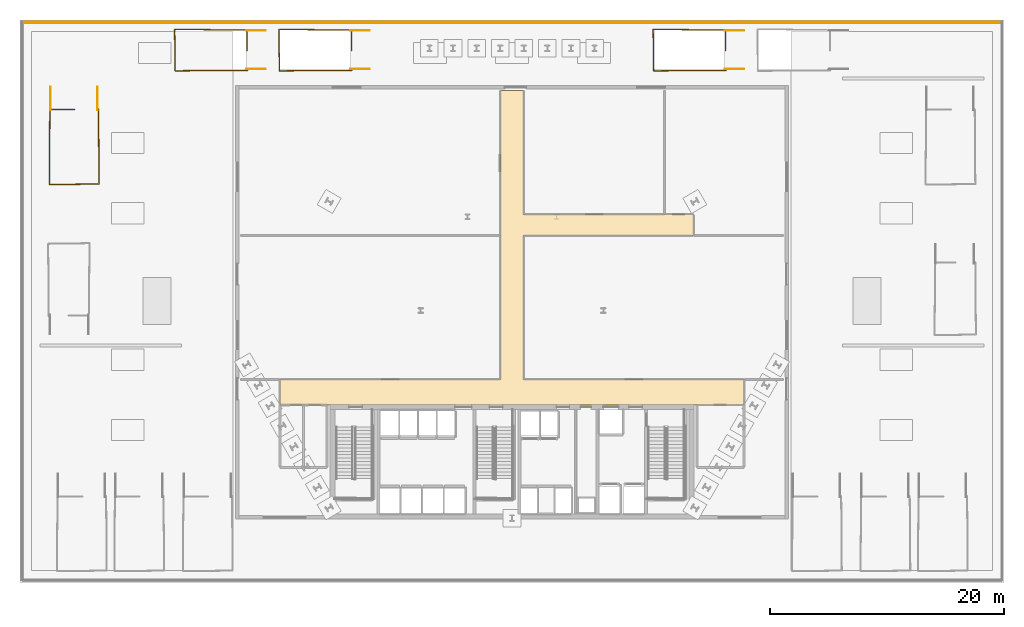
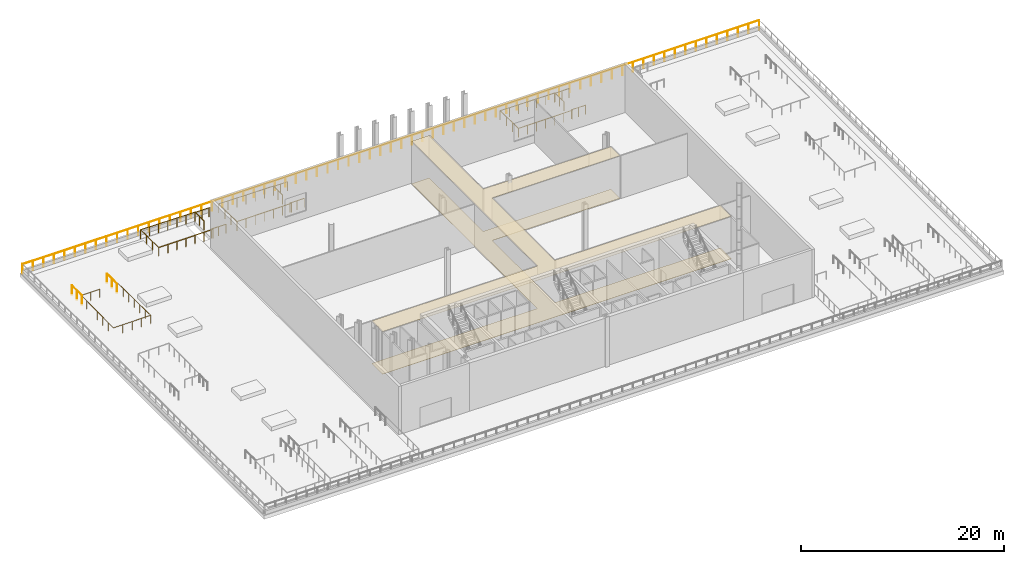
# One storey, part 11 of 13: 13 railings, 2 coverings.
"""IFC4 building model written with IfcOpenShell, lengths in metres."""

from ifc_helpers import new_model, si_unit, direction, frame, origin, origin_2d, place, context, subcontext, project, spatial, polyline, circle, outline, extrude, material, layer, layer_set, type_object, element, save


model = new_model("IFC4")

# Units and contexts
model_context = context("Model", 3, precision=1e-05, world=origin(), true_north=direction((0.0, 1.0)))
body_context = subcontext(model_context, "Body", "Model", "MODEL_VIEW")
ifc_project = project(units=[si_unit("LENGTHUNIT", "METRE"), si_unit("AREAUNIT", "SQUARE_METRE"), si_unit("VOLUMEUNIT", "CUBIC_METRE"), si_unit("PLANEANGLEUNIT", "RADIAN"), si_unit("MASSUNIT", "GRAM", prefix="KILO")], contexts=[model_context])

# Site, building, storey
site_placement = place(None, origin())
site = spatial("IfcSite", under=ifc_project, at=site_placement, CompositionType="ELEMENT")
building_placement = place(site_placement, origin())
building = spatial("IfcBuilding", under=site, at=building_placement, Name="Ndaravel Arena Tower", CompositionType="ELEMENT")
storey_placement = place(building_placement, frame((0.0, 0.0, 30.0)))
storey = spatial("IfcBuildingStorey", under=building, at=storey_placement, Name="L05", CompositionType="ELEMENT", Elevation=30.0)

# Coverings
ifc_material_1 = material(Name="Acoustic Ceiling Tile", Category="finish")
ifc_layer_1 = layer(ifc_material_1, 0.02490234375)
ifc_layer_set_1 = layer_set([ifc_layer_1], Name="Acoustic Ceiling Tile")
covering_type_1 = type_object("IfcCoveringType", Name="COV-CEIL-AC600", PredefinedType="CEILING", material=ifc_layer_set_1)
covering_1_placement = place(storey_placement, frame((0.0, 0.0, 5.102783203125)))
element("IfcCovering", 1, at=covering_1_placement, inside=storey, type_object=covering_type_1, Name="L05 Corridor Acoustic Ceiling", PredefinedType="CEILING", context=body_context, shape_type="SweptSolid", body=[
    extrude(outline(polyline([(61.800048828125, 17.300048828125), (43.0, 17.300048828125), (43.0, 29.60009765625), (57.5, 29.60009765625), (57.5, 31.39990234375), (43.0, 31.39990234375), (43.0, 42.0), (41.0, 42.0), (41.0, 17.300048828125), (22.199951171875, 17.300048828125), (22.199951171875, 15.14990234375), (61.800048828125, 15.14990234375), (61.800048828125, 17.300048828125)])), origin(), (0.0, 0.0, 1.0), 0.02490234375),
])
ifc_material_2 = material(Name="Terrazzo", Category="stone")
ifc_layer_2 = layer(ifc_material_2, 0.030029296875)
ifc_layer_set_2 = layer_set([ifc_layer_2], Name="Terrazzo")
covering_type_2 = type_object("IfcCoveringType", Name="COV-FLOOR-TERRAZZO", PredefinedType="FLOORING", material=ifc_layer_set_2)
covering_2_placement = place(storey_placement, origin())
element("IfcCovering", 2, at=covering_2_placement, inside=storey, type_object=covering_type_2, Name="L05 Corridor Terrazzo Flooring", PredefinedType="FLOORING", context=body_context, shape_type="SweptSolid", body=[
    extrude(outline(polyline([(61.800048828125, 17.300048828125), (43.0, 17.300048828125), (43.0, 29.60009765625), (57.5, 29.60009765625), (57.5, 31.39990234375), (43.0, 31.39990234375), (43.0, 42.0), (41.0, 42.0), (41.0, 17.300048828125), (22.199951171875, 17.300048828125), (22.199951171875, 15.14990234375), (61.800048828125, 15.14990234375), (61.800048828125, 17.300048828125)])), origin(), (0.0, 0.0, 1.0), 0.030029296875),
])

# Railings
ifc_material_3 = material(Name="Steel S355", Category="steel")
ifc_layer_3 = layer(ifc_material_3, 0.06005859375)
ifc_layer_set_3 = layer_set([ifc_layer_3], Name="Steel S355")
railing_type_1 = type_object("IfcRailingType", Name="RAIL-STAIR-GD1100", PredefinedType="GUARDRAIL", material=ifc_layer_set_3)
railing_1_placement = place(storey_placement, frame((19.429931640625, 43.7099609375, 0.0)))
element("IfcRailing", 3, at=railing_1_placement, inside=storey, type_object=railing_type_1, Name="L05 ST-A08 top well guard 1", PredefinedType="GUARDRAIL", context=body_context, shape_type="SweptSolid", body=[
    extrude(circle(Radius=0.02392578125, at=origin_2d()), frame((0.0, 0.0, 1.076171875), z_axis=(-0.999967207908, -0.008098339889, 0.0), x_axis=(0.008098339889, -0.999967207908, 0.0)), (0.0, 0.0, 1.0), 6.18017578125),
    extrude(circle(Radius=0.02392578125, at=origin_2d()), frame((-6.179931640625, -0.050048828125, 1.076171875), z_axis=(-0.014176595818, 0.999899507016, 0.0), x_axis=(-0.999899507016, -0.014176595818, 0.0)), (0.0, 0.0, 1.0), 3.5302734375),
    extrude(circle(Radius=0.02392578125, at=origin_2d()), frame((-6.22998046875, 3.47998046875, 1.076171875), z_axis=(0.999967207908, -0.008098339889, 0.0), x_axis=(0.008098339889, 0.999967207908, 0.0)), (0.0, 0.0, 1.0), 6.18017578125),
    extrude(circle(Radius=0.02392578125, at=origin_2d()), frame((-0.050048828125, 3.429931640625, 1.076171875), z_axis=(0.0, -1.0, 0.0), x_axis=(1.0, 0.0, 0.0)), (0.0, 0.0, 1.0), 1.760009765625),
    extrude(circle(Radius=0.02099609375, at=origin_2d()), origin(), (0.0, 0.0, 1.0), 1.052001953125),
    extrude(circle(Radius=0.02099609375, at=origin_2d()), frame((-1.030029296875, -0.00830078125, 0.0)), (0.0, 0.0, 1.0), 1.052001953125),
    extrude(circle(Radius=0.02099609375, at=origin_2d()), frame((-2.06005859375, -0.0166015625, 0.0)), (0.0, 0.0, 1.0), 1.052001953125),
    extrude(circle(Radius=0.02099609375, at=origin_2d()), frame((-3.08984375, -0.02490234375, 0.0)), (0.0, 0.0, 1.0), 1.052001953125),
    extrude(circle(Radius=0.02099609375, at=origin_2d()), frame((-4.119873046875, -0.033447265625, 0.0)), (0.0, 0.0, 1.0), 1.052001953125),
    extrude(circle(Radius=0.02099609375, at=origin_2d()), frame((-5.14990234375, -0.041748046875, 0.0)), (0.0, 0.0, 1.0), 1.052001953125),
    extrude(circle(Radius=0.02099609375, at=origin_2d()), frame((-6.179931640625, -0.050048828125, 0.0)), (0.0, 0.0, 1.0), 1.052001953125),
    extrude(circle(Radius=0.02099609375, at=origin_2d()), frame((-6.196533203125, 1.126708984375, 0.0)), (0.0, 0.0, 1.0), 1.052001953125),
    extrude(circle(Radius=0.02099609375, at=origin_2d()), frame((-6.21337890625, 2.30322265625, 0.0)), (0.0, 0.0, 1.0), 1.052001953125),
    extrude(circle(Radius=0.02099609375, at=origin_2d()), frame((-6.22998046875, 3.47998046875, 0.0)), (0.0, 0.0, 1.0), 1.052001953125),
    extrude(circle(Radius=0.02099609375, at=origin_2d()), frame((-5.199951171875, 3.4716796875, 0.0)), (0.0, 0.0, 1.0), 1.052001953125),
    extrude(circle(Radius=0.02099609375, at=origin_2d()), frame((-4.169921875, 3.46337890625, 0.0)), (0.0, 0.0, 1.0), 1.052001953125),
    extrude(circle(Radius=0.02099609375, at=origin_2d()), frame((-3.14013671875, 3.455078125, 0.0)), (0.0, 0.0, 1.0), 1.052001953125),
    extrude(circle(Radius=0.02099609375, at=origin_2d()), frame((-2.110107421875, 3.446533203125, 0.0)), (0.0, 0.0, 1.0), 1.052001953125),
    extrude(circle(Radius=0.02099609375, at=origin_2d()), frame((-1.080078125, 3.438232421875, 0.0)), (0.0, 0.0, 1.0), 1.052001953125),
    extrude(circle(Radius=0.02099609375, at=origin_2d()), frame((-0.050048828125, 3.429931640625, 0.0)), (0.0, 0.0, 1.0), 1.052001953125),
    extrude(circle(Radius=0.02099609375, at=origin_2d()), frame((-0.050048828125, 2.5498046875, 0.0)), (0.0, 0.0, 1.0), 1.052001953125),
    extrude(circle(Radius=0.02099609375, at=origin_2d()), frame((-0.050048828125, 1.669921875, 0.0)), (0.0, 0.0, 1.0), 1.052001953125),
])
for number, where, name in (
    (4, (20.949951171875, 47.090087890625, 0.0), "L05 ST-A08 top well guard 2"),
    (5, (20.949951171875, 43.81005859375, 0.0), "L05 ST-A08 top well guard 3"),
):
    element("IfcRailing", number, at=place(storey_placement, frame(where)), inside=storey, type_object=railing_type_1, Name=name, PredefinedType="GUARDRAIL", context=body_context, shape_type="SweptSolid", body=[
        extrude(circle(Radius=0.02392578125, at=origin_2d()), frame((0.0, 0.0, 1.076171875), z_axis=(-1.0, 0.0, 0.0), x_axis=(0.0, -1.0, 0.0)), (0.0, 0.0, 1.0), 1.619873046875),
        extrude(circle(Radius=0.02099609375, at=origin_2d()), origin(), (0.0, 0.0, 1.0), 1.052001953125),
        extrude(circle(Radius=0.02099609375, at=origin_2d()), frame((-0.81005859375, 0.0, 0.0)), (0.0, 0.0, 1.0), 1.052001953125),
        extrude(circle(Radius=0.02099609375, at=origin_2d()), frame((-1.619873046875, 0.0, 0.0)), (0.0, 0.0, 1.0), 1.052001953125),
    ])
railing_2_placement = place(storey_placement, frame((28.330078125, 43.7099609375, 0.0)))
element("IfcRailing", 6, at=railing_2_placement, inside=storey, type_object=railing_type_1, Name="L05 ST-A09 top well guard 1", PredefinedType="GUARDRAIL", context=body_context, shape_type="SweptSolid", body=[
    extrude(circle(Radius=0.02392578125, at=origin_2d()), frame((0.0, 0.0, 1.076171875), z_axis=(-0.999967210499, -0.008098019995, 0.0), x_axis=(0.008098019995, -0.999967210499, 0.0)), (0.0, 0.0, 1.0), 6.180419921875),
    extrude(circle(Radius=0.02392578125, at=origin_2d()), frame((-6.18017578125, -0.050048828125, 1.076171875), z_axis=(-0.014107455489, 0.999900484898, 0.0), x_axis=(-0.999900484898, -0.014107455489, 0.0)), (0.0, 0.0, 1.0), 3.5302734375),
    extrude(circle(Radius=0.02392578125, at=origin_2d()), frame((-6.22998046875, 3.47998046875, 1.076171875), z_axis=(0.999967207908, -0.008098339889, 0.0), x_axis=(0.008098339889, 0.999967207908, 0.0)), (0.0, 0.0, 1.0), 6.18017578125),
    extrude(circle(Radius=0.02392578125, at=origin_2d()), frame((-0.050048828125, 3.429931640625, 1.076171875), z_axis=(0.0, -1.0, 0.0), x_axis=(1.0, 0.0, 0.0)), (0.0, 0.0, 1.0), 1.760009765625),
    extrude(circle(Radius=0.02099609375, at=origin_2d()), origin(), (0.0, 0.0, 1.0), 1.052001953125),
    extrude(circle(Radius=0.02099609375, at=origin_2d()), frame((-1.030029296875, -0.00830078125, 0.0)), (0.0, 0.0, 1.0), 1.052001953125),
    extrude(circle(Radius=0.02099609375, at=origin_2d()), frame((-2.06005859375, -0.0166015625, 0.0)), (0.0, 0.0, 1.0), 1.052001953125),
    extrude(circle(Radius=0.02099609375, at=origin_2d()), frame((-3.090087890625, -0.02490234375, 0.0)), (0.0, 0.0, 1.0), 1.052001953125),
    extrude(circle(Radius=0.02099609375, at=origin_2d()), frame((-4.1201171875, -0.033447265625, 0.0)), (0.0, 0.0, 1.0), 1.052001953125),
    extrude(circle(Radius=0.02099609375, at=origin_2d()), frame((-5.150146484375, -0.041748046875, 0.0)), (0.0, 0.0, 1.0), 1.052001953125),
    extrude(circle(Radius=0.02099609375, at=origin_2d()), frame((-6.18017578125, -0.050048828125, 0.0)), (0.0, 0.0, 1.0), 1.052001953125),
    extrude(circle(Radius=0.02099609375, at=origin_2d()), frame((-6.19677734375, 1.126708984375, 0.0)), (0.0, 0.0, 1.0), 1.052001953125),
    extrude(circle(Radius=0.02099609375, at=origin_2d()), frame((-6.21337890625, 2.30322265625, 0.0)), (0.0, 0.0, 1.0), 1.052001953125),
    extrude(circle(Radius=0.02099609375, at=origin_2d()), frame((-6.22998046875, 3.47998046875, 0.0)), (0.0, 0.0, 1.0), 1.052001953125),
    extrude(circle(Radius=0.02099609375, at=origin_2d()), frame((-5.199951171875, 3.4716796875, 0.0)), (0.0, 0.0, 1.0), 1.052001953125),
    extrude(circle(Radius=0.02099609375, at=origin_2d()), frame((-4.169921875, 3.46337890625, 0.0)), (0.0, 0.0, 1.0), 1.052001953125),
    extrude(circle(Radius=0.02099609375, at=origin_2d()), frame((-3.14013671875, 3.455078125, 0.0)), (0.0, 0.0, 1.0), 1.052001953125),
    extrude(circle(Radius=0.02099609375, at=origin_2d()), frame((-2.110107421875, 3.446533203125, 0.0)), (0.0, 0.0, 1.0), 1.052001953125),
    extrude(circle(Radius=0.02099609375, at=origin_2d()), frame((-1.080078125, 3.438232421875, 0.0)), (0.0, 0.0, 1.0), 1.052001953125),
    extrude(circle(Radius=0.02099609375, at=origin_2d()), frame((-0.050048828125, 3.429931640625, 0.0)), (0.0, 0.0, 1.0), 1.052001953125),
    extrude(circle(Radius=0.02099609375, at=origin_2d()), frame((-0.050048828125, 2.5498046875, 0.0)), (0.0, 0.0, 1.0), 1.052001953125),
    extrude(circle(Radius=0.02099609375, at=origin_2d()), frame((-0.050048828125, 1.669921875, 0.0)), (0.0, 0.0, 1.0), 1.052001953125),
])
for number, where, name in (
    (7, (29.85009765625, 47.090087890625, 0.0), "L05 ST-A09 top well guard 2"),
    (8, (29.85009765625, 43.81005859375, 0.0), "L05 ST-A09 top well guard 3"),
):
    element("IfcRailing", number, at=place(storey_placement, frame(where)), inside=storey, type_object=railing_type_1, Name=name, PredefinedType="GUARDRAIL", context=body_context, shape_type="SweptSolid", body=[
        extrude(circle(Radius=0.02392578125, at=origin_2d()), frame((0.0, 0.0, 1.076171875), z_axis=(-1.0, 0.0, 0.0), x_axis=(0.0, -1.0, 0.0)), (0.0, 0.0, 1.0), 1.6201171875),
        extrude(circle(Radius=0.02099609375, at=origin_2d()), origin(), (0.0, 0.0, 1.0), 1.052001953125),
        extrude(circle(Radius=0.02099609375, at=origin_2d()), frame((-0.81005859375, 0.0, 0.0)), (0.0, 0.0, 1.0), 1.052001953125),
        extrude(circle(Radius=0.02099609375, at=origin_2d()), frame((-1.6201171875, 0.0, 0.0)), (0.0, 0.0, 1.0), 1.052001953125),
    ])
railing_3_placement = place(storey_placement, frame((60.280029296875, 43.7099609375, 0.0)))
element("IfcRailing", 9, at=railing_3_placement, inside=storey, type_object=railing_type_1, Name="L05 ST-A10 top well guard 1", PredefinedType="GUARDRAIL", context=body_context, shape_type="SweptSolid", body=[
    extrude(circle(Radius=0.02392578125, at=origin_2d()), frame((0.0, 0.0, 1.076171875), z_axis=(-0.999967207908, -0.008098339889, 0.0), x_axis=(0.008098339889, -0.999967207908, 0.0)), (0.0, 0.0, 1.0), 6.18017578125),
    extrude(circle(Radius=0.02392578125, at=origin_2d()), frame((-6.179931640625, -0.050048828125, 1.076171875), z_axis=(-0.014176595818, 0.999899507016, 0.0), x_axis=(-0.999899507016, -0.014176595818, 0.0)), (0.0, 0.0, 1.0), 3.5302734375),
    extrude(circle(Radius=0.02392578125, at=origin_2d()), frame((-6.22998046875, 3.47998046875, 1.076171875), z_axis=(0.999967207908, -0.008098339889, 0.0), x_axis=(0.008098339889, 0.999967207908, 0.0)), (0.0, 0.0, 1.0), 6.18017578125),
    extrude(circle(Radius=0.02392578125, at=origin_2d()), frame((-0.050048828125, 3.429931640625, 1.076171875), z_axis=(0.0, -1.0, 0.0), x_axis=(1.0, 0.0, 0.0)), (0.0, 0.0, 1.0), 1.760009765625),
    extrude(circle(Radius=0.02099609375, at=origin_2d()), origin(), (0.0, 0.0, 1.0), 1.052001953125),
    extrude(circle(Radius=0.02099609375, at=origin_2d()), frame((-1.030029296875, -0.00830078125, 0.0)), (0.0, 0.0, 1.0), 1.052001953125),
    extrude(circle(Radius=0.02099609375, at=origin_2d()), frame((-2.06005859375, -0.0166015625, 0.0)), (0.0, 0.0, 1.0), 1.052001953125),
    extrude(circle(Radius=0.02099609375, at=origin_2d()), frame((-3.08984375, -0.02490234375, 0.0)), (0.0, 0.0, 1.0), 1.052001953125),
    extrude(circle(Radius=0.02099609375, at=origin_2d()), frame((-4.119873046875, -0.033447265625, 0.0)), (0.0, 0.0, 1.0), 1.052001953125),
    extrude(circle(Radius=0.02099609375, at=origin_2d()), frame((-5.14990234375, -0.041748046875, 0.0)), (0.0, 0.0, 1.0), 1.052001953125),
    extrude(circle(Radius=0.02099609375, at=origin_2d()), frame((-6.179931640625, -0.050048828125, 0.0)), (0.0, 0.0, 1.0), 1.052001953125),
    extrude(circle(Radius=0.02099609375, at=origin_2d()), frame((-6.196533203125, 1.126708984375, 0.0)), (0.0, 0.0, 1.0), 1.052001953125),
    extrude(circle(Radius=0.02099609375, at=origin_2d()), frame((-6.21337890625, 2.30322265625, 0.0)), (0.0, 0.0, 1.0), 1.052001953125),
    extrude(circle(Radius=0.02099609375, at=origin_2d()), frame((-6.22998046875, 3.47998046875, 0.0)), (0.0, 0.0, 1.0), 1.052001953125),
    extrude(circle(Radius=0.02099609375, at=origin_2d()), frame((-5.199951171875, 3.4716796875, 0.0)), (0.0, 0.0, 1.0), 1.052001953125),
    extrude(circle(Radius=0.02099609375, at=origin_2d()), frame((-4.169921875, 3.46337890625, 0.0)), (0.0, 0.0, 1.0), 1.052001953125),
    extrude(circle(Radius=0.02099609375, at=origin_2d()), frame((-3.14013671875, 3.455078125, 0.0)), (0.0, 0.0, 1.0), 1.052001953125),
    extrude(circle(Radius=0.02099609375, at=origin_2d()), frame((-2.110107421875, 3.446533203125, 0.0)), (0.0, 0.0, 1.0), 1.052001953125),
    extrude(circle(Radius=0.02099609375, at=origin_2d()), frame((-1.080078125, 3.438232421875, 0.0)), (0.0, 0.0, 1.0), 1.052001953125),
    extrude(circle(Radius=0.02099609375, at=origin_2d()), frame((-0.050048828125, 3.429931640625, 0.0)), (0.0, 0.0, 1.0), 1.052001953125),
    extrude(circle(Radius=0.02099609375, at=origin_2d()), frame((-0.050048828125, 2.5498046875, 0.0)), (0.0, 0.0, 1.0), 1.052001953125),
    extrude(circle(Radius=0.02099609375, at=origin_2d()), frame((-0.050048828125, 1.669921875, 0.0)), (0.0, 0.0, 1.0), 1.052001953125),
])
for number, where, name in (
    (10, (61.800048828125, 47.090087890625, 0.0), "L05 ST-A10 top well guard 2"),
    (11, (61.800048828125, 43.81005859375, 0.0), "L05 ST-A10 top well guard 3"),
):
    element("IfcRailing", number, at=place(storey_placement, frame(where)), inside=storey, type_object=railing_type_1, Name=name, PredefinedType="GUARDRAIL", context=body_context, shape_type="SweptSolid", body=[
        extrude(circle(Radius=0.02392578125, at=origin_2d()), frame((0.0, 0.0, 1.076171875), z_axis=(-1.0, 0.0, 0.0), x_axis=(0.0, -1.0, 0.0)), (0.0, 0.0, 1.0), 1.6201171875),
        extrude(circle(Radius=0.02099609375, at=origin_2d()), origin(), (0.0, 0.0, 1.0), 1.052001953125),
        extrude(circle(Radius=0.02099609375, at=origin_2d()), frame((-0.81005859375, 0.0, 0.0)), (0.0, 0.0, 1.0), 1.052001953125),
        extrude(circle(Radius=0.02099609375, at=origin_2d()), frame((-1.6201171875, 0.0, 0.0)), (0.0, 0.0, 1.0), 1.052001953125),
    ])
railing_4_placement = place(storey_placement, frame((6.699951171875, 40.419921875, 0.0)))
element("IfcRailing", 12, at=railing_4_placement, inside=storey, type_object=railing_type_1, Name="L05 ST-GDN-1 top well guard 1", PredefinedType="GUARDRAIL", context=body_context, shape_type="SweptSolid", body=[
    extrude(circle(Radius=0.02392578125, at=origin_2d()), frame((0.0, 0.0, 1.076171875), z_axis=(0.007795625601, -0.999969613649, 0.0), x_axis=(0.999969613649, 0.007795625601, 0.0)), (0.0, 0.0, 1.0), 6.420166015625),
    extrude(circle(Radius=0.02392578125, at=origin_2d()), frame((0.050048828125, -6.419921875, 1.076171875), z_axis=(-0.999930667828, -0.011775378384, 0.0), x_axis=(0.011775378384, -0.999930667828, 0.0)), (0.0, 0.0, 1.0), 4.250244140625),
    extrude(circle(Radius=0.02392578125, at=origin_2d()), frame((-4.199951171875, -6.469970703125, 1.076171875), z_axis=(0.007795329173, 0.99996961596, 0.0), x_axis=(-0.99996961596, 0.007795329173, 0.0)), (0.0, 0.0, 1.0), 6.42041015625),
    extrude(circle(Radius=0.02392578125, at=origin_2d()), frame((-4.14990234375, -0.0498046875, 1.076171875), z_axis=(1.0, 0.0, 0.0), x_axis=(0.0, 1.0, 0.0)), (0.0, 0.0, 1.0), 2.119873046875),
    extrude(circle(Radius=0.02099609375, at=origin_2d()), origin(), (0.0, 0.0, 1.0), 1.052001953125),
    extrude(circle(Radius=0.02099609375, at=origin_2d()), frame((0.00830078125, -1.070068359375, 0.0)), (0.0, 0.0, 1.0), 1.052001953125),
    extrude(circle(Radius=0.02099609375, at=origin_2d()), frame((0.0166015625, -2.139892578125, 0.0)), (0.0, 0.0, 1.0), 1.052001953125),
    extrude(circle(Radius=0.02099609375, at=origin_2d()), frame((0.02490234375, -3.2099609375, 0.0)), (0.0, 0.0, 1.0), 1.052001953125),
    extrude(circle(Radius=0.02099609375, at=origin_2d()), frame((0.033447265625, -4.280029296875, 0.0)), (0.0, 0.0, 1.0), 1.052001953125),
    extrude(circle(Radius=0.02099609375, at=origin_2d()), frame((0.041748046875, -5.349853515625, 0.0)), (0.0, 0.0, 1.0), 1.052001953125),
    extrude(circle(Radius=0.02099609375, at=origin_2d()), frame((0.050048828125, -6.419921875, 0.0)), (0.0, 0.0, 1.0), 1.052001953125),
    extrude(circle(Radius=0.02099609375, at=origin_2d()), frame((-1.012451171875, -6.432373046875, 0.0)), (0.0, 0.0, 1.0), 1.052001953125),
    extrude(circle(Radius=0.02099609375, at=origin_2d()), frame((-2.074951171875, -6.44482421875, 0.0)), (0.0, 0.0, 1.0), 1.052001953125),
    extrude(circle(Radius=0.02099609375, at=origin_2d()), frame((-3.137451171875, -6.45751953125, 0.0)), (0.0, 0.0, 1.0), 1.052001953125),
    extrude(circle(Radius=0.02099609375, at=origin_2d()), frame((-4.199951171875, -6.469970703125, 0.0)), (0.0, 0.0, 1.0), 1.052001953125),
    extrude(circle(Radius=0.02099609375, at=origin_2d()), frame((-4.191650390625, -5.39990234375, 0.0)), (0.0, 0.0, 1.0), 1.052001953125),
    extrude(circle(Radius=0.02099609375, at=origin_2d()), frame((-4.183349609375, -4.329833984375, 0.0)), (0.0, 0.0, 1.0), 1.052001953125),
    extrude(circle(Radius=0.02099609375, at=origin_2d()), frame((-4.1748046875, -3.259765625, 0.0)), (0.0, 0.0, 1.0), 1.052001953125),
    extrude(circle(Radius=0.02099609375, at=origin_2d()), frame((-4.16650390625, -2.18994140625, 0.0)), (0.0, 0.0, 1.0), 1.052001953125),
    extrude(circle(Radius=0.02099609375, at=origin_2d()), frame((-4.158203125, -1.119873046875, 0.0)), (0.0, 0.0, 1.0), 1.052001953125),
    extrude(circle(Radius=0.02099609375, at=origin_2d()), frame((-4.14990234375, -0.0498046875, 0.0)), (0.0, 0.0, 1.0), 1.052001953125),
    extrude(circle(Radius=0.02099609375, at=origin_2d()), frame((-3.08984375, -0.0498046875, 0.0)), (0.0, 0.0, 1.0), 1.052001953125),
    extrude(circle(Radius=0.02099609375, at=origin_2d()), frame((-2.030029296875, -0.0498046875, 0.0)), (0.0, 0.0, 1.0), 1.052001953125),
])
for number, where, name in (
    (13, (2.60009765625, 42.300048828125, 0.0), "L05 ST-GDN-1 top well guard 2"),
    (14, (6.60009765625, 42.300048828125, 0.0), "L05 ST-GDN-1 top well guard 3"),
):
    element("IfcRailing", number, at=place(storey_placement, frame(where)), inside=storey, type_object=railing_type_1, Name=name, PredefinedType="GUARDRAIL", context=body_context, shape_type="SweptSolid", body=[
        extrude(circle(Radius=0.02392578125, at=origin_2d()), frame((0.0, 0.0, 1.076171875), z_axis=(0.0, -1.0, 0.0), x_axis=(1.0, 0.0, 0.0)), (0.0, 0.0, 1.0), 1.97998046875),
        extrude(circle(Radius=0.02099609375, at=origin_2d()), origin(), (0.0, 0.0, 1.0), 1.052001953125),
        extrude(circle(Radius=0.02099609375, at=origin_2d()), frame((0.0, -0.989990234375, 0.0)), (0.0, 0.0, 1.0), 1.052001953125),
        extrude(circle(Radius=0.02099609375, at=origin_2d()), frame((0.0, -1.97998046875, 0.0)), (0.0, 0.0, 1.0), 1.052001953125),
    ])
ifc_material_4 = material(Name="Glazing", Category="glass")
ifc_layer_4 = layer(ifc_material_4, 0.070068359375)
ifc_layer_set_4 = layer_set([ifc_layer_4], Name="Glazing")
railing_type_2 = type_object("IfcRailingType", Name="RAIL-TERRACE-1150", PredefinedType="BALUSTRADE", material=ifc_layer_set_4)
railing_5_placement = place(storey_placement, frame((83.820068359375, 47.820068359375, 0.0)))
element("IfcRailing", 15, at=railing_5_placement, inside=storey, type_object=railing_type_2, Name="L05 Raised Garden Perimeter Balustrade 3", PredefinedType="BALUSTRADE", context=body_context, shape_type="SweptSolid", body=[
    extrude(circle(Radius=0.02392578125, at=origin_2d()), frame((0.0, 0.0, 1.1259765625), z_axis=(-1.0, 0.0, 0.0), x_axis=(0.0, -1.0, 0.0)), (0.0, 0.0, 1.0), 83.64013671875),
    extrude(circle(Radius=0.02099609375, at=origin_2d()), origin(), (0.0, 0.0, 1.0), 1.101806640625),
    extrude(circle(Radius=0.02099609375, at=origin_2d()), frame((-1.19482421875, 0.0, 0.0)), (0.0, 0.0, 1.0), 1.101806640625),
    extrude(circle(Radius=0.02099609375, at=origin_2d()), frame((-2.3896484375, 0.0, 0.0)), (0.0, 0.0, 1.0), 1.101806640625),
    extrude(circle(Radius=0.02099609375, at=origin_2d()), frame((-3.58447265625, 0.0, 0.0)), (0.0, 0.0, 1.0), 1.101806640625),
    extrude(circle(Radius=0.02099609375, at=origin_2d()), frame((-4.779541015625, 0.0, 0.0)), (0.0, 0.0, 1.0), 1.101806640625),
    extrude(circle(Radius=0.02099609375, at=origin_2d()), frame((-5.974365234375, 0.0, 0.0)), (0.0, 0.0, 1.0), 1.101806640625),
    extrude(circle(Radius=0.02099609375, at=origin_2d()), frame((-7.169189453125, 0.0, 0.0)), (0.0, 0.0, 1.0), 1.101806640625),
    extrude(circle(Radius=0.02099609375, at=origin_2d()), frame((-8.364013671875, 0.0, 0.0)), (0.0, 0.0, 1.0), 1.101806640625),
    extrude(circle(Radius=0.02099609375, at=origin_2d()), frame((-9.558837890625, 0.0, 0.0)), (0.0, 0.0, 1.0), 1.101806640625),
    extrude(circle(Radius=0.02099609375, at=origin_2d()), frame((-10.753662109375, 0.0, 0.0)), (0.0, 0.0, 1.0), 1.101806640625),
    extrude(circle(Radius=0.02099609375, at=origin_2d()), frame((-11.948486328125, 0.0, 0.0)), (0.0, 0.0, 1.0), 1.101806640625),
    extrude(circle(Radius=0.02099609375, at=origin_2d()), frame((-13.1435546875, 0.0, 0.0)), (0.0, 0.0, 1.0), 1.101806640625),
    extrude(circle(Radius=0.02099609375, at=origin_2d()), frame((-14.33837890625, 0.0, 0.0)), (0.0, 0.0, 1.0), 1.101806640625),
    extrude(circle(Radius=0.02099609375, at=origin_2d()), frame((-15.533203125, 0.0, 0.0)), (0.0, 0.0, 1.0), 1.101806640625),
    extrude(circle(Radius=0.02099609375, at=origin_2d()), frame((-16.72802734375, 0.0, 0.0)), (0.0, 0.0, 1.0), 1.101806640625),
    extrude(circle(Radius=0.02099609375, at=origin_2d()), frame((-17.9228515625, 0.0, 0.0)), (0.0, 0.0, 1.0), 1.101806640625),
    extrude(circle(Radius=0.02099609375, at=origin_2d()), frame((-19.11767578125, 0.0, 0.0)), (0.0, 0.0, 1.0), 1.101806640625),
    extrude(circle(Radius=0.02099609375, at=origin_2d()), frame((-20.3125, 0.0, 0.0)), (0.0, 0.0, 1.0), 1.101806640625),
    extrude(circle(Radius=0.02099609375, at=origin_2d()), frame((-21.507568359375, 0.0, 0.0)), (0.0, 0.0, 1.0), 1.101806640625),
    extrude(circle(Radius=0.02099609375, at=origin_2d()), frame((-22.702392578125, 0.0, 0.0)), (0.0, 0.0, 1.0), 1.101806640625),
    extrude(circle(Radius=0.02099609375, at=origin_2d()), frame((-23.897216796875, 0.0, 0.0)), (0.0, 0.0, 1.0), 1.101806640625),
    extrude(circle(Radius=0.02099609375, at=origin_2d()), frame((-25.092041015625, 0.0, 0.0)), (0.0, 0.0, 1.0), 1.101806640625),
    extrude(circle(Radius=0.02099609375, at=origin_2d()), frame((-26.286865234375, 0.0, 0.0)), (0.0, 0.0, 1.0), 1.101806640625),
    extrude(circle(Radius=0.02099609375, at=origin_2d()), frame((-27.481689453125, 0.0, 0.0)), (0.0, 0.0, 1.0), 1.101806640625),
    extrude(circle(Radius=0.02099609375, at=origin_2d()), frame((-28.676513671875, 0.0, 0.0)), (0.0, 0.0, 1.0), 1.101806640625),
    extrude(circle(Radius=0.02099609375, at=origin_2d()), frame((-29.87158203125, 0.0, 0.0)), (0.0, 0.0, 1.0), 1.101806640625),
    extrude(circle(Radius=0.02099609375, at=origin_2d()), frame((-31.06640625, 0.0, 0.0)), (0.0, 0.0, 1.0), 1.101806640625),
    extrude(circle(Radius=0.02099609375, at=origin_2d()), frame((-32.26123046875, 0.0, 0.0)), (0.0, 0.0, 1.0), 1.101806640625),
    extrude(circle(Radius=0.02099609375, at=origin_2d()), frame((-33.4560546875, 0.0, 0.0)), (0.0, 0.0, 1.0), 1.101806640625),
    extrude(circle(Radius=0.02099609375, at=origin_2d()), frame((-34.65087890625, 0.0, 0.0)), (0.0, 0.0, 1.0), 1.101806640625),
    extrude(circle(Radius=0.02099609375, at=origin_2d()), frame((-35.845703125, 0.0, 0.0)), (0.0, 0.0, 1.0), 1.101806640625),
    extrude(circle(Radius=0.02099609375, at=origin_2d()), frame((-37.04052734375, 0.0, 0.0)), (0.0, 0.0, 1.0), 1.101806640625),
    extrude(circle(Radius=0.02099609375, at=origin_2d()), frame((-38.235595703125, 0.0, 0.0)), (0.0, 0.0, 1.0), 1.101806640625),
    extrude(circle(Radius=0.02099609375, at=origin_2d()), frame((-39.430419921875, 0.0, 0.0)), (0.0, 0.0, 1.0), 1.101806640625),
    extrude(circle(Radius=0.02099609375, at=origin_2d()), frame((-40.625244140625, 0.0, 0.0)), (0.0, 0.0, 1.0), 1.101806640625),
    extrude(circle(Radius=0.02099609375, at=origin_2d()), frame((-41.820068359375, 0.0, 0.0)), (0.0, 0.0, 1.0), 1.101806640625),
    extrude(circle(Radius=0.02099609375, at=origin_2d()), frame((-43.014892578125, 0.0, 0.0)), (0.0, 0.0, 1.0), 1.101806640625),
    extrude(circle(Radius=0.02099609375, at=origin_2d()), frame((-44.209716796875, 0.0, 0.0)), (0.0, 0.0, 1.0), 1.101806640625),
    extrude(circle(Radius=0.02099609375, at=origin_2d()), frame((-45.404541015625, 0.0, 0.0)), (0.0, 0.0, 1.0), 1.101806640625),
    extrude(circle(Radius=0.02099609375, at=origin_2d()), frame((-46.599609375, 0.0, 0.0)), (0.0, 0.0, 1.0), 1.101806640625),
    extrude(circle(Radius=0.02099609375, at=origin_2d()), frame((-47.79443359375, 0.0, 0.0)), (0.0, 0.0, 1.0), 1.101806640625),
    extrude(circle(Radius=0.02099609375, at=origin_2d()), frame((-48.9892578125, 0.0, 0.0)), (0.0, 0.0, 1.0), 1.101806640625),
    extrude(circle(Radius=0.02099609375, at=origin_2d()), frame((-50.18408203125, 0.0, 0.0)), (0.0, 0.0, 1.0), 1.101806640625),
    extrude(circle(Radius=0.02099609375, at=origin_2d()), frame((-51.37890625, 0.0, 0.0)), (0.0, 0.0, 1.0), 1.101806640625),
    extrude(circle(Radius=0.02099609375, at=origin_2d()), frame((-52.57373046875, 0.0, 0.0)), (0.0, 0.0, 1.0), 1.101806640625),
    extrude(circle(Radius=0.02099609375, at=origin_2d()), frame((-53.7685546875, 0.0, 0.0)), (0.0, 0.0, 1.0), 1.101806640625),
    extrude(circle(Radius=0.02099609375, at=origin_2d()), frame((-54.963623046875, 0.0, 0.0)), (0.0, 0.0, 1.0), 1.101806640625),
    extrude(circle(Radius=0.02099609375, at=origin_2d()), frame((-56.158447265625, 0.0, 0.0)), (0.0, 0.0, 1.0), 1.101806640625),
    extrude(circle(Radius=0.02099609375, at=origin_2d()), frame((-57.353271484375, 0.0, 0.0)), (0.0, 0.0, 1.0), 1.101806640625),
    extrude(circle(Radius=0.02099609375, at=origin_2d()), frame((-58.548095703125, 0.0, 0.0)), (0.0, 0.0, 1.0), 1.101806640625),
    extrude(circle(Radius=0.02099609375, at=origin_2d()), frame((-59.742919921875, 0.0, 0.0)), (0.0, 0.0, 1.0), 1.101806640625),
    extrude(circle(Radius=0.02099609375, at=origin_2d()), frame((-60.937744140625, 0.0, 0.0)), (0.0, 0.0, 1.0), 1.101806640625),
    extrude(circle(Radius=0.02099609375, at=origin_2d()), frame((-62.132568359375, 0.0, 0.0)), (0.0, 0.0, 1.0), 1.101806640625),
    extrude(circle(Radius=0.02099609375, at=origin_2d()), frame((-63.32763671875, 0.0, 0.0)), (0.0, 0.0, 1.0), 1.101806640625),
    extrude(circle(Radius=0.02099609375, at=origin_2d()), frame((-64.5224609375, 0.0, 0.0)), (0.0, 0.0, 1.0), 1.101806640625),
    extrude(circle(Radius=0.02099609375, at=origin_2d()), frame((-65.71728515625, 0.0, 0.0)), (0.0, 0.0, 1.0), 1.101806640625),
    extrude(circle(Radius=0.02099609375, at=origin_2d()), frame((-66.912109375, 0.0, 0.0)), (0.0, 0.0, 1.0), 1.101806640625),
    extrude(circle(Radius=0.02099609375, at=origin_2d()), frame((-68.10693359375, 0.0, 0.0)), (0.0, 0.0, 1.0), 1.101806640625),
    extrude(circle(Radius=0.02099609375, at=origin_2d()), frame((-69.3017578125, 0.0, 0.0)), (0.0, 0.0, 1.0), 1.101806640625),
    extrude(circle(Radius=0.02099609375, at=origin_2d()), frame((-70.49658203125, 0.0, 0.0)), (0.0, 0.0, 1.0), 1.101806640625),
    extrude(circle(Radius=0.02099609375, at=origin_2d()), frame((-71.691650390625, 0.0, 0.0)), (0.0, 0.0, 1.0), 1.101806640625),
    extrude(circle(Radius=0.02099609375, at=origin_2d()), frame((-72.886474609375, 0.0, 0.0)), (0.0, 0.0, 1.0), 1.101806640625),
    extrude(circle(Radius=0.02099609375, at=origin_2d()), frame((-74.081298828125, 0.0, 0.0)), (0.0, 0.0, 1.0), 1.101806640625),
    extrude(circle(Radius=0.02099609375, at=origin_2d()), frame((-75.276123046875, 0.0, 0.0)), (0.0, 0.0, 1.0), 1.101806640625),
    extrude(circle(Radius=0.02099609375, at=origin_2d()), frame((-76.470947265625, 0.0, 0.0)), (0.0, 0.0, 1.0), 1.101806640625),
    extrude(circle(Radius=0.02099609375, at=origin_2d()), frame((-77.665771484375, 0.0, 0.0)), (0.0, 0.0, 1.0), 1.101806640625),
    extrude(circle(Radius=0.02099609375, at=origin_2d()), frame((-78.860595703125, 0.0, 0.0)), (0.0, 0.0, 1.0), 1.101806640625),
    extrude(circle(Radius=0.02099609375, at=origin_2d()), frame((-80.0556640625, 0.0, 0.0)), (0.0, 0.0, 1.0), 1.101806640625),
    extrude(circle(Radius=0.02099609375, at=origin_2d()), frame((-81.25048828125, 0.0, 0.0)), (0.0, 0.0, 1.0), 1.101806640625),
    extrude(circle(Radius=0.02099609375, at=origin_2d()), frame((-82.4453125, 0.0, 0.0)), (0.0, 0.0, 1.0), 1.101806640625),
    extrude(circle(Radius=0.02099609375, at=origin_2d()), frame((-83.64013671875, 0.0, 0.0)), (0.0, 0.0, 1.0), 1.101806640625),
])

save(model, "model.ifc")
